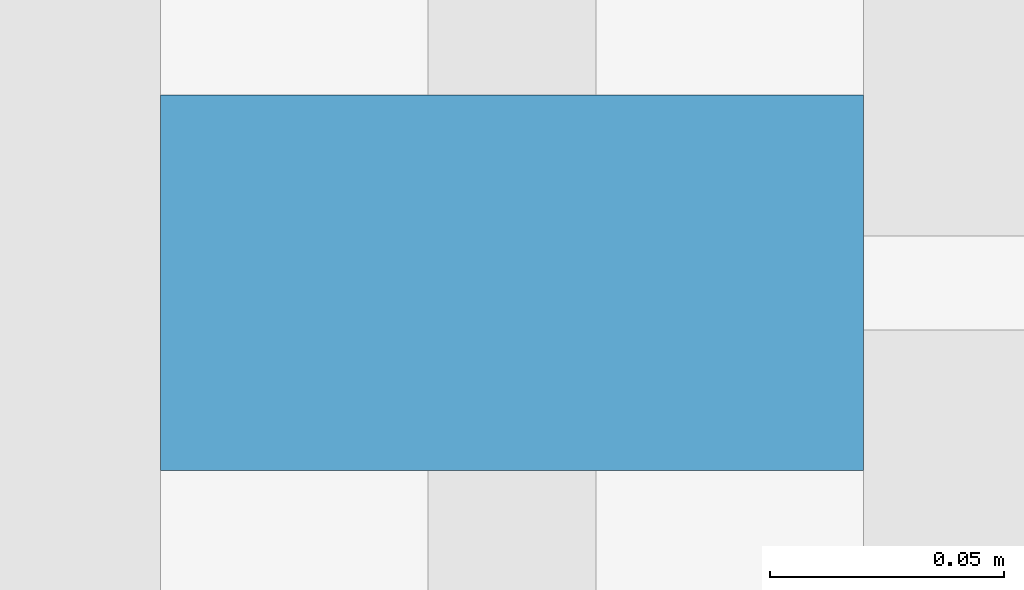
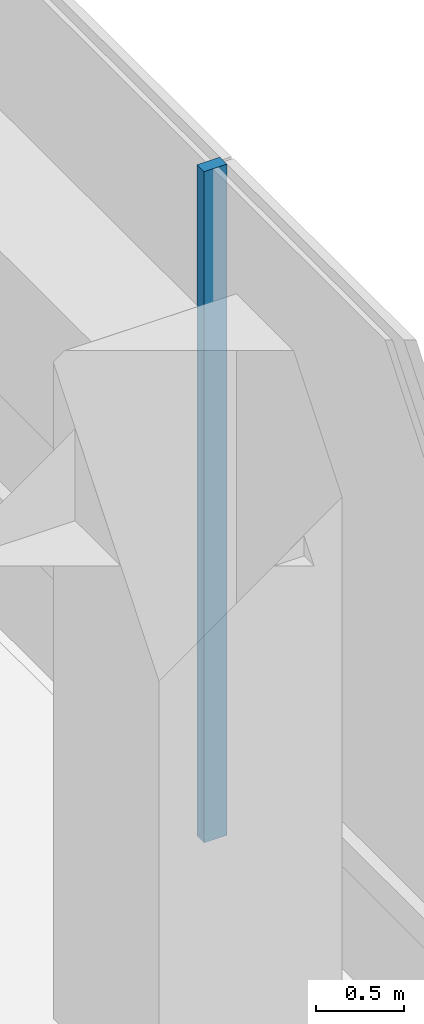
# One storey, part 16 of 40: 1 member, 1 element without a shape of its own.
"""IFC4 building model written with IfcOpenShell, lengths in metres."""

from ifc_helpers import new_model, si_unit, direction, frame, origin, origin_2d, place, context, subcontext, project, spatial, rectangle, extrude, material, layer, layer_set, material_profile, profile_set, type_object, element, aggregate, save


model = new_model("IFC4")

# Units and contexts
model_context = context("Model", 3, precision=1e-05, world=origin(), true_north=direction((0.0, 1.0)))
body_context = subcontext(model_context, "Body", "Model", "MODEL_VIEW")
ifc_project = project(units=[si_unit("LENGTHUNIT", "METRE"), si_unit("AREAUNIT", "SQUARE_METRE"), si_unit("VOLUMEUNIT", "CUBIC_METRE"), si_unit("PLANEANGLEUNIT", "RADIAN"), si_unit("MASSUNIT", "GRAM", prefix="KILO")], contexts=[model_context])

# Site, building, storey
site_placement = place(None, origin())
site = spatial("IfcSite", under=ifc_project, at=site_placement, CompositionType="ELEMENT")
building_placement = place(site_placement, origin())
building = spatial("IfcBuilding", under=site, at=building_placement, Name="Welwitschia Terrace Campus", CompositionType="ELEMENT")
storey_placement = place(building_placement, frame((0.0, 0.0, 6.0)))
storey = spatial("IfcBuildingStorey", under=building, at=storey_placement, Name="L01", CompositionType="ELEMENT", Elevation=6.0)

# Curtain wall, member
ifc_material_1 = material(Name="Bronze anodised aluminium", Category="aluminium")
ifc_layer = layer(ifc_material_1, 0.14990234375)
ifc_layer_set = layer_set([ifc_layer], Name="Bronze anodised aluminium")
curtain_wall_type = type_object("IfcCurtainWallType", Name="Curtain wall CW1 podium 7500", PredefinedType="NOTDEFINED", material=ifc_layer_set)
curtain_wall_placement = place(storey_placement, origin())
curtain_wall = element("IfcCurtainWall", 1, at=curtain_wall_placement, inside=storey, type_object=curtain_wall_type, Name="CW L01.2.0", PredefinedType="NOTDEFINED")
ifc_material_2 = material(Name="Bronze anodised aluminium", Category="aluminium")
ifc_material_profile = material_profile(ifc_material_2, rectangle(XDim=0.14990234375, YDim=0.080078125, at=origin_2d()))
ifc_profile_set = profile_set([ifc_material_profile], Name="Bronze anodised aluminium")
member_type = type_object("IfcMemberType", Name="Mullion 80x150", PredefinedType="MULLION", material=ifc_profile_set)
member_placement = place(storey_placement, frame((97.0849609375, 33.716552734375, 0.0), z_axis=(0.0, 0.0, 1.0), x_axis=(-1.0, 0.0, 0.0)))
member = element("IfcMember", 2, at=member_placement, type_object=member_type, Name="Mullion L01.2.0.5", PredefinedType="MULLION", context=body_context, shape_type="SweptSolid", body=[
    extrude(rectangle(XDim=0.14990234375, YDim=0.080078125, at=origin_2d()), origin(), (0.0, 0.0, 1.0), 4.64990234375),
])
aggregate(curtain_wall, [member])

save(model, "model.ifc")
